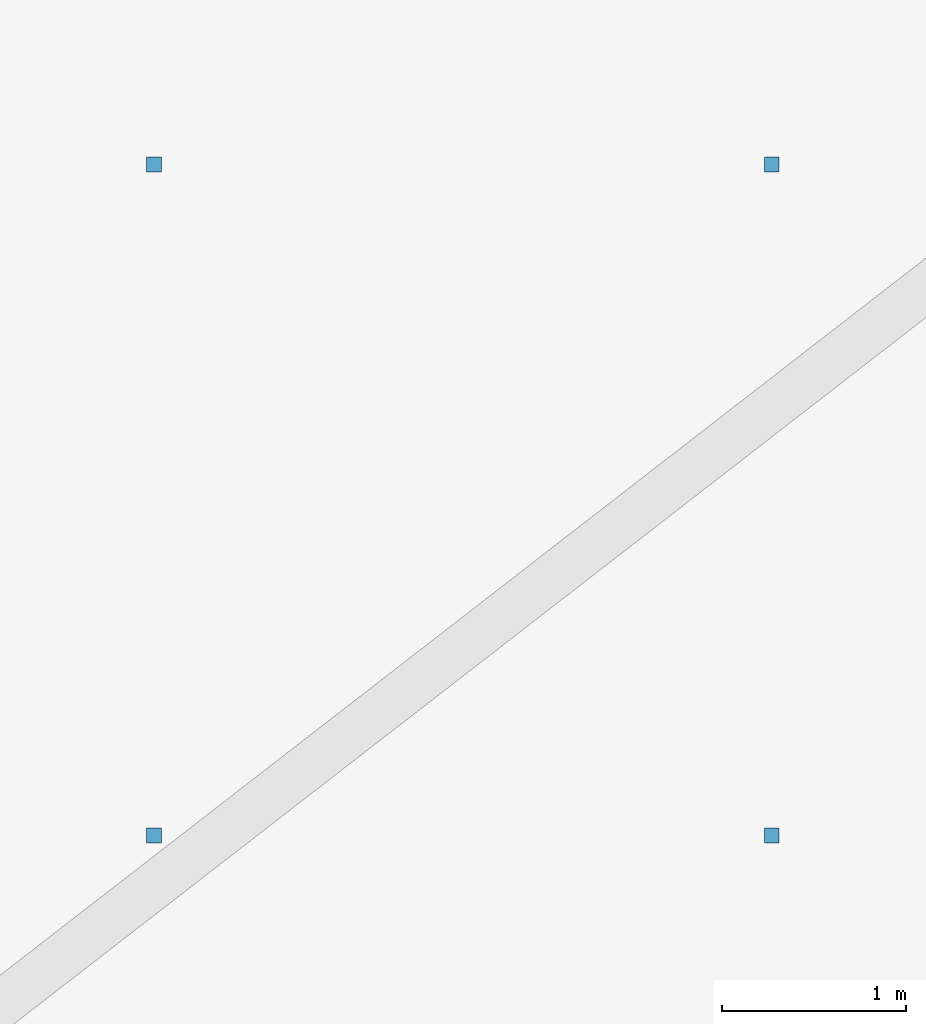
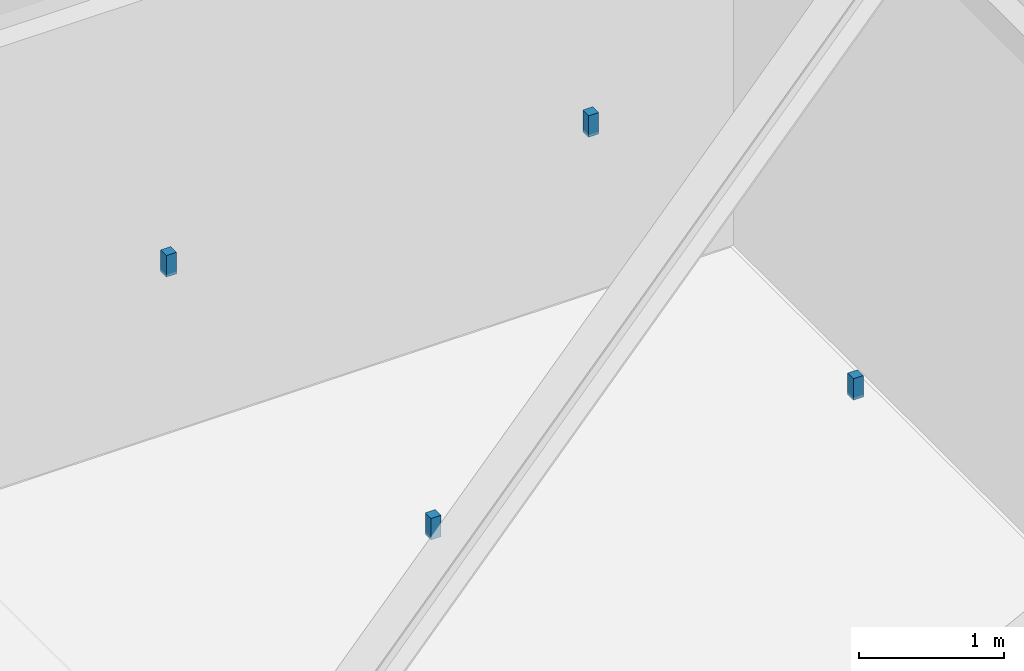
# One storey, part 12 of 16: 4 discrete accessories.
"""IFC4 building model written with IfcOpenShell, lengths in metres."""

from ifc_helpers import new_model, si_unit, direction, frame, origin, origin_2d, place, context, subcontext, project, spatial, rectangle, extrude, material, type_object, element, save


model = new_model("IFC4")

# Units and contexts
model_context = context("Model", 3, precision=1e-05, world=origin(), true_north=direction((0.0, 1.0)))
body_context = subcontext(model_context, "Body", "Model", "MODEL_VIEW")
ifc_project = project(units=[si_unit("LENGTHUNIT", "METRE"), si_unit("AREAUNIT", "SQUARE_METRE"), si_unit("VOLUMEUNIT", "CUBIC_METRE"), si_unit("PLANEANGLEUNIT", "RADIAN"), si_unit("MASSUNIT", "GRAM", prefix="KILO")], contexts=[model_context])

# Site, building, storey
site_placement = place(None, origin())
site = spatial("IfcSite", under=ifc_project, at=site_placement, CompositionType="ELEMENT")
building_placement = place(site_placement, origin())
building = spatial("IfcBuilding", under=site, at=building_placement, Name="Kolvaren Gate Tower and Convention Centre", CompositionType="ELEMENT")
storey_placement = place(building_placement, frame((0.0, 0.0, -9.0)))
storey = spatial("IfcBuildingStorey", under=building, at=storey_placement, Name="B2", CompositionType="ELEMENT", Elevation=-9.0)

# Discrete accessories
ifc_material = material(Name="Brushed Stainless Steel Grade 316L", Category="steel")
discrete_accessory_type = type_object("IfcDiscreteAccessoryType", Name="ARCH-ACC-HANGER-80", PredefinedType="BRACKET", material=ifc_material)
for number, where, z_axis, x_axis, name in (
    (1, (42.322021484375, 37.177978515625, 4.0), (0.0, 0.0, 1.0), (1.0, 0.0, 0.0), "Central Chiller and Ice-Storage Plant Room Ceiling Suspension Hanger Clip 1"),
    (2, (45.677978515625, 37.177978515625, 4.0), (0.0, 0.0, 1.0), (1.0, 0.0, 0.0), "Central Chiller and Ice-Storage Plant Room Ceiling Suspension Hanger Clip 2"),
    (3, (42.322021484375, 40.822021484375, 4.0), (0.0, 0.0, 1.0), (1.0, 0.0, 0.0), "Central Chiller and Ice-Storage Plant Room Ceiling Suspension Hanger Clip 3"),
    (4, (45.677978515625, 40.822021484375, 4.0), (0.0, 0.0, 1.0), (1.0, 0.0, 0.0), "Central Chiller and Ice-Storage Plant Room Ceiling Suspension Hanger Clip 4"),
):
    element("IfcDiscreteAccessory", number, at=place(storey_placement, frame(where, z_axis=z_axis, x_axis=x_axis)), inside=storey, type_object=discrete_accessory_type, Name=name, PredefinedType="BRACKET", context=body_context, shape_type="SweptSolid", body=[
        extrude(rectangle(XDim=0.080078125, YDim=0.080078125, at=origin_2d()), origin(), (0.0, 0.0, 1.0), 0.179931640625),
    ])

save(model, "model.ifc")
